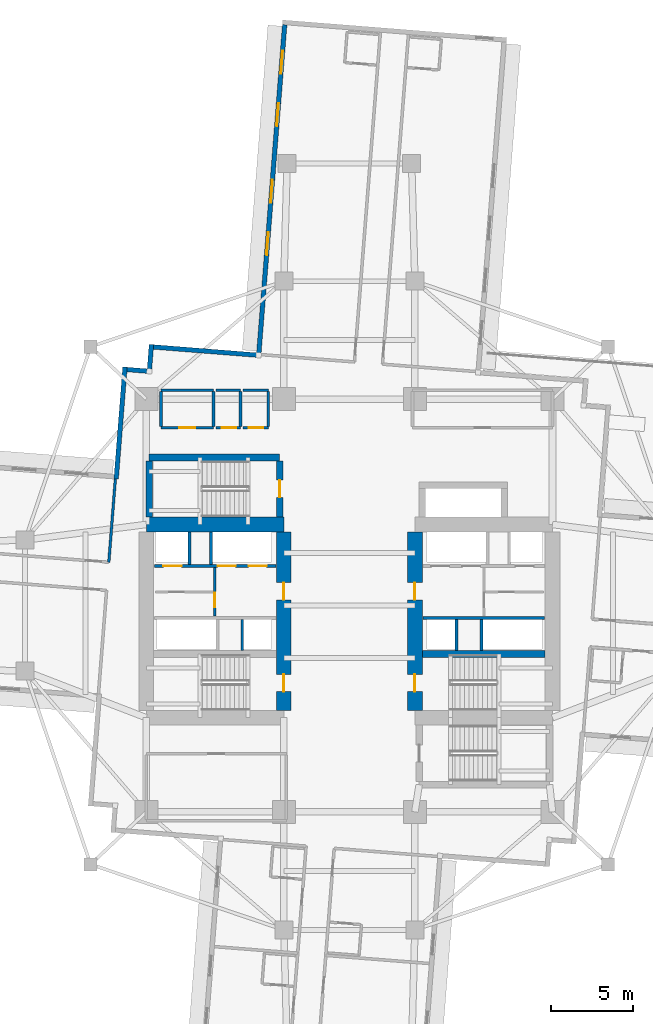
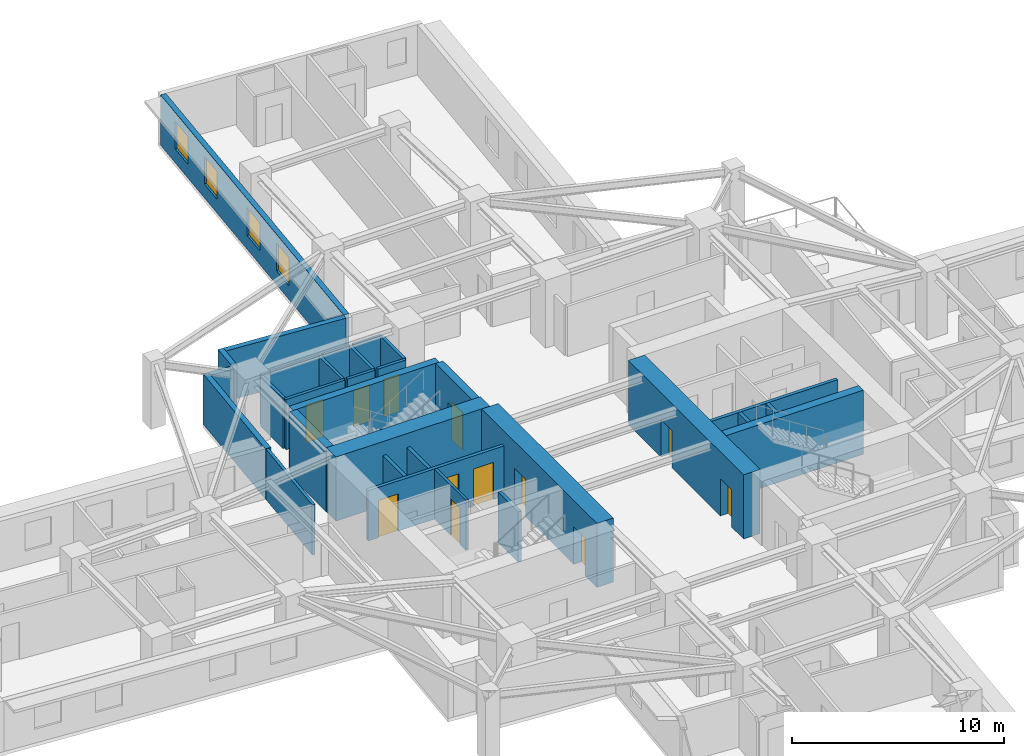
# One storey, part 6 of 14: 31 walls, 12 doors, 4 windows, 16 openings.
"""IFC4 building model written with IfcOpenShell, lengths in metres."""

from ifc_helpers import new_model, si_unit, direction, frame, frame_2d, origin, place, context, subcontext, project, spatial, rectangle, extrude, material, layer, layer_set, type_object, element, fill, save


model = new_model("IFC4")

# Units and contexts
model_context = context("Model", 3, precision=1e-05, world=origin(), true_north=direction((0.0, 1.0)))
body_context = subcontext(model_context, "Body", "Model", "MODEL_VIEW")
ifc_project = project(units=[si_unit("LENGTHUNIT", "METRE"), si_unit("AREAUNIT", "SQUARE_METRE"), si_unit("VOLUMEUNIT", "CUBIC_METRE"), si_unit("PLANEANGLEUNIT", "RADIAN"), si_unit("MASSUNIT", "GRAM", prefix="KILO")], contexts=[model_context])

# Site, building, storey
site_placement = place(None, origin())
site = spatial("IfcSite", under=ifc_project, at=site_placement, CompositionType="ELEMENT")
building_placement = place(site_placement, origin())
building = spatial("IfcBuilding", under=site, at=building_placement, Name="Qingluan Cross Belvedere", CompositionType="ELEMENT")
storey_placement = place(building_placement, frame((0.0, 0.0, 83.39990234375)))
storey = spatial("IfcBuildingStorey", under=building, at=storey_placement, Name="L21", CompositionType="ELEMENT", Elevation=83.39990234375)

# Walls
ifc_material_1 = material(Name="Concrete C50", Category="concrete")
ifc_layer_1 = layer(ifc_material_1, 0.449951171875, Name="CoreShearWall_450")
ifc_layer_set_1 = layer_set([ifc_layer_1], Name="Concrete C50")
wall_type_1 = type_object("IfcWallType", Name="CoreShearWall_450", PredefinedType="SHEAR", material=ifc_layer_set_1)
wall_1_placement = place(storey_placement, frame((4.455078125, -2.9599609375, 0.0), z_axis=(0.0, 0.0, 1.0), x_axis=(1.0, 0.0, 0.0)))
element("IfcWall", 1, at=wall_1_placement, inside=storey, type_object=wall_type_1, Name="Split core E shear wall L21-M", PredefinedType="SHEAR", context=body_context, shape_type="SweptSolid", body=[
    extrude(rectangle(XDim=7.489990234375, YDim=0.449951171875, at=frame_2d((3.7451171875, 0.0))), origin(), (0.0, 0.0, 1.0), 3.7001953125),
])
wall_2_placement = place(storey_placement, frame((-12.219970703125, 9.0400390625, 0.0), z_axis=(0.0, 0.0, 1.0), x_axis=(1.0, 0.0, 0.0)))
element("IfcWall", 2, at=wall_2_placement, inside=storey, type_object=wall_type_1, Name="Stair ST3 structural wall N L21", PredefinedType="SHEAR", context=body_context, shape_type="SweptSolid", body=[
    extrude(rectangle(XDim=7.9599609375, YDim=0.39990234375, at=frame_2d((3.97998046875, 0.0))), origin(), (0.0, 0.0, 1.0), 3.7001953125),
])
wall_3_placement = place(storey_placement, frame((-12.219970703125, 5.405029296875, 0.0), z_axis=(0.0, 0.0, 1.0), x_axis=(0.0, 1.0, 0.0)))
element("IfcWall", 3, at=wall_3_placement, inside=storey, type_object=wall_type_1, Name="Stair ST3 structural wall W L21", PredefinedType="SHEAR", context=body_context, shape_type="SweptSolid", body=[
    extrude(rectangle(XDim=3.429931640625, YDim=0.39990234375, at=frame_2d((1.71484375, 0.0))), origin(), (0.0, 0.0, 1.0), 3.7001953125),
])

# Wall, opening, door
wall_4_placement = place(storey_placement, frame((-4.260009765625, 5.405029296875, 0.0), z_axis=(0.0, 0.0, 1.0), x_axis=(0.0, 1.0, 0.0)))
wall_4 = element("IfcWall", 4, at=wall_4_placement, inside=storey, type_object=wall_type_1, Name="Stair ST3 structural wall E L21", PredefinedType="SHEAR", context=body_context, shape_type="SweptSolid", body=[
    extrude(rectangle(XDim=3.429931640625, YDim=0.39990234375, at=frame_2d((1.71484375, 0.0))), origin(), (0.0, 0.0, 1.0), 3.7001953125),
])
opening_1_placement = place(wall_4_placement, frame((1.195068359375, 0.0, 0.0)))
opening_1 = element("IfcOpeningElement", 5, at=opening_1_placement, cuts=wall_4, Name="Opening FD-B11", PredefinedType="OPENING", context=body_context, shape_type="SweptSolid", body=[
    extrude(rectangle(XDim=1.050048828125, YDim=2.14990234375, at=frame_2d((0.52490234375, 1.074951171875))), frame((0.0, 0.2099609375, 0.0), z_axis=(0.0, -1.0, 0.0), x_axis=(1.0, 0.0, 0.0)), (0.0, 0.0, 1.0), 0.419921875),
])
ifc_material_2 = material(Name="Steel Class B smoke-seal fire door", Category="steel")
door_type_1 = type_object("IfcDoorType", Name="StairLobbyFireDoor_FDB", OperationType="NOTDEFINED", PredefinedType="DOOR", material=ifc_material_2)
door_1_placement = place(opening_1_placement, origin())
door_1 = element("IfcDoor", 6, at=door_1_placement, inside=storey, type_object=door_type_1, Name="Smoke-proof stair ST3 fire door L21", OperationType="SINGLE_SWING_RIGHT", OverallHeight=2.14990234375, OverallWidth=1.050048828125, PredefinedType="DOOR", context=body_context, shape_type="SweptSolid", body=[
    extrude(rectangle(XDim=1.050048828125, YDim=2.14990234375, at=frame_2d((0.52490234375, 1.074951171875))), frame((0.0, 0.02490234375, 0.0), z_axis=(0.0, -1.0, 0.0), x_axis=(1.0, 0.0, 0.0)), (0.0, 0.0, 1.0), 0.050048828125),
])
fill(opening_1, door_1)

# Wall
ifc_material_3 = material(Name="Concrete C70", Category="concrete")
ifc_layer_2 = layer(ifc_material_3, 0.89990234375, Name="CoreShearWall_900")
ifc_layer_set_2 = layer_set([ifc_layer_2], Name="Concrete C70")
wall_type_2 = type_object("IfcWallType", Name="CoreShearWall_900", PredefinedType="SHEAR", material=ifc_layer_set_2)
wall_5_placement = place(storey_placement, frame((-12.39990234375, 4.949951171875, 0.0), z_axis=(0.0, 0.0, 1.0), x_axis=(1.0, 0.0, 0.0)))
element("IfcWall", 7, at=wall_5_placement, inside=storey, type_object=wall_type_2, Name="Split core W shear wall L21-N", PredefinedType="SHEAR", context=body_context, shape_type="SweptSolid", body=[
    extrude(rectangle(XDim=8.39990234375, YDim=0.89990234375, at=frame_2d((4.199951171875, 0.0))), origin(), (0.0, 0.0, 1.0), 3.7001953125),
])

# Wall, openings, doors
wall_6_placement = place(storey_placement, frame((-4.0, -6.39501953125, 0.0), z_axis=(0.0, 0.0, 1.0), x_axis=(0.0, 1.0, 0.0)))
wall_6 = element("IfcWall", 8, at=wall_6_placement, inside=storey, type_object=wall_type_2, Name="Split core W shear wall L21-E", PredefinedType="SHEAR", context=body_context, shape_type="SweptSolid", body=[
    extrude(rectangle(XDim=10.89013671875, YDim=0.89990234375, at=frame_2d((5.445068359375, 0.0))), origin(), (0.0, 0.0, 1.0), 3.7001953125),
])
opening_2_placement = place(wall_6_placement, frame((1.14501953125, 0.0, 0.0)))
opening_2 = element("IfcOpeningElement", 9, at=opening_2_placement, cuts=wall_6, Name="Opening FD-B11", PredefinedType="OPENING", context=body_context, shape_type="SweptSolid", body=[
    extrude(rectangle(XDim=1.050048828125, YDim=2.14990234375, at=frame_2d((0.52490234375, 1.074951171875))), frame((0.0, 0.4599609375, 0.0), z_axis=(0.0, -1.0, 0.0), x_axis=(1.0, 0.0, 0.0)), (0.0, 0.0, 1.0), 0.919921875),
])
opening_3_placement = place(wall_6_placement, frame((6.7451171875, 0.0, 0.0)))
opening_3 = element("IfcOpeningElement", 10, at=opening_3_placement, cuts=wall_6, Name="Opening FD-B11", PredefinedType="OPENING", context=body_context, shape_type="SweptSolid", body=[
    extrude(rectangle(XDim=1.050048828125, YDim=2.14990234375, at=frame_2d((0.52490234375, 1.074951171875))), frame((0.0, 0.4599609375, 0.0), z_axis=(0.0, -1.0, 0.0), x_axis=(1.0, 0.0, 0.0)), (0.0, 0.0, 1.0), 0.919921875),
])
door_2_placement = place(opening_2_placement, origin())
door_2 = element("IfcDoor", 11, at=door_2_placement, inside=storey, type_object=door_type_1, Name="Smoke-proof stair ST1 fire door L21", OperationType="SINGLE_SWING_RIGHT", OverallHeight=2.14990234375, OverallWidth=1.050048828125, PredefinedType="DOOR", context=body_context, shape_type="SweptSolid", body=[
    extrude(rectangle(XDim=1.050048828125, YDim=2.14990234375, at=frame_2d((0.52490234375, 1.074951171875))), frame((0.0, 0.02490234375, 0.0), z_axis=(0.0, -1.0, 0.0), x_axis=(1.0, 0.0, 0.0)), (0.0, 0.0, 1.0), 0.050048828125),
])
fill(opening_2, door_2)
door_3_placement = place(opening_3_placement, origin())
door_3 = element("IfcDoor", 12, at=door_3_placement, inside=storey, type_object=door_type_1, Name="Firefighting lobby West fire door L21", OperationType="SINGLE_SWING_RIGHT", OverallHeight=2.14990234375, OverallWidth=1.050048828125, PredefinedType="DOOR", context=body_context, shape_type="SweptSolid", body=[
    extrude(rectangle(XDim=1.050048828125, YDim=2.14990234375, at=frame_2d((0.52490234375, 1.074951171875))), frame((0.0, 0.02490234375, 0.0), z_axis=(0.0, -1.0, 0.0), x_axis=(1.0, 0.0, 0.0)), (0.0, 0.0, 1.0), 0.050048828125),
])
fill(opening_3, door_3)

wall_7_placement = place(storey_placement, frame((4.0, -6.39501953125, 0.0), z_axis=(0.0, 0.0, 1.0), x_axis=(0.0, 1.0, 0.0)))
wall_7 = element("IfcWall", 13, at=wall_7_placement, inside=storey, type_object=wall_type_2, Name="Split core E shear wall L21-W", PredefinedType="SHEAR", context=body_context, shape_type="SweptSolid", body=[
    extrude(rectangle(XDim=10.89013671875, YDim=0.89990234375, at=frame_2d((5.445068359375, 0.0))), origin(), (0.0, 0.0, 1.0), 3.7001953125),
])
opening_4_placement = place(wall_7_placement, frame((1.14501953125, 0.0, 0.0)))
opening_4 = element("IfcOpeningElement", 14, at=opening_4_placement, cuts=wall_7, Name="Opening FD-B11", PredefinedType="OPENING", context=body_context, shape_type="SweptSolid", body=[
    extrude(rectangle(XDim=1.050048828125, YDim=2.14990234375, at=frame_2d((0.52490234375, 1.074951171875))), frame((0.0, 0.4599609375, 0.0), z_axis=(0.0, -1.0, 0.0), x_axis=(1.0, 0.0, 0.0)), (0.0, 0.0, 1.0), 0.919921875),
])
opening_5_placement = place(wall_7_placement, frame((6.7451171875, 0.0, 0.0)))
opening_5 = element("IfcOpeningElement", 15, at=opening_5_placement, cuts=wall_7, Name="Opening FD-B11", PredefinedType="OPENING", context=body_context, shape_type="SweptSolid", body=[
    extrude(rectangle(XDim=1.050048828125, YDim=2.14990234375, at=frame_2d((0.52490234375, 1.074951171875))), frame((0.0, 0.4599609375, 0.0), z_axis=(0.0, -1.0, 0.0), x_axis=(1.0, 0.0, 0.0)), (0.0, 0.0, 1.0), 0.919921875),
])
door_4_placement = place(opening_4_placement, origin())
door_4 = element("IfcDoor", 16, at=door_4_placement, inside=storey, type_object=door_type_1, Name="Smoke-proof stair ST2 fire door L21", OperationType="SINGLE_SWING_LEFT", OverallHeight=2.14990234375, OverallWidth=1.050048828125, PredefinedType="DOOR", context=body_context, shape_type="SweptSolid", body=[
    extrude(rectangle(XDim=1.050048828125, YDim=2.14990234375, at=frame_2d((0.52490234375, 1.074951171875))), frame((0.0, 0.02490234375, 0.0), z_axis=(0.0, -1.0, 0.0), x_axis=(1.0, 0.0, 0.0)), (0.0, 0.0, 1.0), 0.050048828125),
])
fill(opening_4, door_4)
door_5_placement = place(opening_5_placement, origin())
door_5 = element("IfcDoor", 17, at=door_5_placement, inside=storey, type_object=door_type_1, Name="Firefighting lobby East fire door L21", OperationType="SINGLE_SWING_LEFT", OverallHeight=2.14990234375, OverallWidth=1.050048828125, PredefinedType="DOOR", context=body_context, shape_type="SweptSolid", body=[
    extrude(rectangle(XDim=1.050048828125, YDim=2.14990234375, at=frame_2d((0.52490234375, 1.074951171875))), frame((0.0, 0.02490234375, 0.0), z_axis=(0.0, -1.0, 0.0), x_axis=(1.0, 0.0, 0.0)), (0.0, 0.0, 1.0), 0.050048828125),
])
fill(opening_5, door_5)

# Wall, opening, door
ifc_material_4 = material(Name="Gypsum plasterboard on steel stud acoustic partition", Category="steel")
ifc_layer_3 = layer(ifc_material_4, 0.159912109375, Name="CorridorPartition_160")
ifc_layer_set_3 = layer_set([ifc_layer_3], Name="Gypsum plasterboard on steel stud acoustic partition")
wall_type_3 = type_object("IfcWallType", Name="CorridorPartition_160", PredefinedType="PARTITIONING", material=ifc_layer_set_3)
wall_8_placement = place(storey_placement, frame((-11.5, 10.85009765625, 0.0), z_axis=(0.0, 0.0, 1.0), x_axis=(1.0, 0.0, 0.0)))
wall_8 = element("IfcWall", 18, at=wall_8_placement, inside=storey, type_object=wall_type_3, Name="Partition L21:q_nw_occ:S", PredefinedType="PARTITIONING", context=body_context, shape_type="SweptSolid", body=[
    extrude(rectangle(XDim=3.199951171875, YDim=0.159912109375, at=frame_2d((1.60009765625, 0.0))), origin(), (0.0, 0.0, 1.0), 2.900146484375),
])
opening_6_placement = place(wall_8_placement, frame((1.1201171875, 0.0, 0.0)))
opening_6 = element("IfcOpeningElement", 19, at=opening_6_placement, cuts=wall_8, Name="Opening GD-10", PredefinedType="OPENING", context=body_context, shape_type="SweptSolid", body=[
    extrude(rectangle(XDim=0.9599609375, YDim=2.14990234375, at=frame_2d((0.47998046875, 1.074951171875))), frame((0.0, 0.08984375, 0.0), z_axis=(0.0, -1.0, 0.0), x_axis=(1.0, 0.0, 0.0)), (0.0, 0.0, 1.0), 0.179931640625),
])
ifc_material_5 = material(Name="Timber oak fire-rated acoustic guestroom door", Category="wood")
door_type_2 = type_object("IfcDoorType", Name="GuestEntryDoor_FD60", OperationType="NOTDEFINED", PredefinedType="DOOR", material=ifc_material_5)
door_6_placement = place(opening_6_placement, origin())
door_6 = element("IfcDoor", 20, at=door_6_placement, inside=storey, type_object=door_type_2, Name="Northwest corner reading salon L21 door", OperationType="SINGLE_SWING_RIGHT", OverallHeight=2.14990234375, OverallWidth=0.9599609375, PredefinedType="DOOR", context=body_context, shape_type="SweptSolid", body=[
    extrude(rectangle(XDim=0.9599609375, YDim=2.14990234375, at=frame_2d((0.47998046875, 1.074951171875))), frame((0.0, 0.02490234375, 0.0), z_axis=(0.0, -1.0, 0.0), x_axis=(1.0, 0.0, 0.0)), (0.0, 0.0, 1.0), 0.050048828125),
])
fill(opening_6, door_6)

# Walls
wall_9_placement = place(storey_placement, frame((-11.5, 13.14990234375, 0.0), z_axis=(0.0, 0.0, 1.0), x_axis=(1.0, 0.0, 0.0)))
element("IfcWall", 21, at=wall_9_placement, inside=storey, type_object=wall_type_3, Name="Partition L21:q_nw_occ:N", PredefinedType="PARTITIONING", context=body_context, shape_type="SweptSolid", body=[
    extrude(rectangle(XDim=3.199951171875, YDim=0.159912109375, at=frame_2d((1.60009765625, 0.0))), origin(), (0.0, 0.0, 1.0), 2.900146484375),
])
for number, where, z_axis, x_axis, name in (
    (22, (-11.5, 10.93505859375, 0.0), (0.0, 0.0, 1.0), (0.0, 1.0, 0.0), "Partition L21:q_nw_occ:W"),
    (23, (-8.300048828125, 10.93505859375, 0.0), (0.0, 0.0, 1.0), (0.0, 1.0, 0.0), "Partition L21:q_nw_occ:E"),
):
    element("IfcWall", number, at=place(storey_placement, frame(where, z_axis=z_axis, x_axis=x_axis)), inside=storey, type_object=wall_type_3, Name=name, PredefinedType="PARTITIONING", context=body_context, shape_type="SweptSolid", body=[
        extrude(rectangle(XDim=2.1298828125, YDim=0.159912109375, at=frame_2d((1.06494140625, 0.0))), origin(), (0.0, 0.0, 1.0), 2.900146484375),
    ])

# Wall, opening, door
wall_10_placement = place(storey_placement, frame((-8.139892578125, 10.85009765625, 0.0), z_axis=(0.0, 0.0, 1.0), x_axis=(1.0, 0.0, 0.0)))
wall_10 = element("IfcWall", 24, at=wall_10_placement, inside=storey, type_object=wall_type_3, Name="Partition L21:hk_linen:S", PredefinedType="PARTITIONING", context=body_context, shape_type="SweptSolid", body=[
    extrude(rectangle(XDim=1.489990234375, YDim=0.159912109375, at=frame_2d((0.7451171875, 0.0))), origin(), (0.0, 0.0, 1.0), 2.900146484375),
])
opening_7_placement = place(wall_10_placement, frame((0.35009765625, 0.0, 0.0)))
opening_7 = element("IfcOpeningElement", 25, at=opening_7_placement, cuts=wall_10, Name="Opening FD-B10", PredefinedType="OPENING", context=body_context, shape_type="SweptSolid", body=[
    extrude(rectangle(XDim=0.8798828125, YDim=2.10009765625, at=frame_2d((0.43994140625, 1.050048828125))), frame((0.0, 0.08984375, 0.0), z_axis=(0.0, -1.0, 0.0), x_axis=(1.0, 0.0, 0.0)), (0.0, 0.0, 1.0), 0.179931640625),
])
ifc_material_6 = material(Name="Steel Class B service fire door", Category="steel")
door_type_3 = type_object("IfcDoorType", Name="RiserServiceFireDoor_FDB", OperationType="NOTDEFINED", PredefinedType="DOOR", material=ifc_material_6)
door_7_placement = place(opening_7_placement, origin())
door_7 = element("IfcDoor", 26, at=door_7_placement, inside=storey, type_object=door_type_3, Name="Housekeeping and linen store L21 door", OperationType="SINGLE_SWING_LEFT", OverallHeight=2.10009765625, OverallWidth=0.8798828125, PredefinedType="DOOR", context=body_context, shape_type="SweptSolid", body=[
    extrude(rectangle(XDim=0.8798828125, YDim=2.10009765625, at=frame_2d((0.43994140625, 1.050048828125))), frame((0.0, 0.02490234375, 0.0), z_axis=(0.0, -1.0, 0.0), x_axis=(1.0, 0.0, 0.0)), (0.0, 0.0, 1.0), 0.050048828125),
])
fill(opening_7, door_7)

# Walls
wall_11_placement = place(storey_placement, frame((-8.139892578125, 13.14990234375, 0.0), z_axis=(0.0, 0.0, 1.0), x_axis=(1.0, 0.0, 0.0)))
element("IfcWall", 27, at=wall_11_placement, inside=storey, type_object=wall_type_3, Name="Partition L21:hk_linen:N", PredefinedType="PARTITIONING", context=body_context, shape_type="SweptSolid", body=[
    extrude(rectangle(XDim=1.489990234375, YDim=0.159912109375, at=frame_2d((0.7451171875, 0.0))), origin(), (0.0, 0.0, 1.0), 2.900146484375),
])
wall_12_placement = place(storey_placement, frame((-6.64990234375, 10.93505859375, 0.0), z_axis=(0.0, 0.0, 1.0), x_axis=(0.0, 1.0, 0.0)))
element("IfcWall", 28, at=wall_12_placement, inside=storey, type_object=wall_type_3, Name="Partition L21:hk_linen:E", PredefinedType="PARTITIONING", context=body_context, shape_type="SweptSolid", body=[
    extrude(rectangle(XDim=2.1298828125, YDim=0.159912109375, at=frame_2d((1.06494140625, 0.0))), origin(), (0.0, 0.0, 1.0), 2.900146484375),
])

# Wall, opening, door
wall_13_placement = place(storey_placement, frame((-6.489990234375, 10.85009765625, 0.0), z_axis=(0.0, 0.0, 1.0), x_axis=(1.0, 0.0, 0.0)))
wall_13 = element("IfcWall", 29, at=wall_13_placement, inside=storey, type_object=wall_type_3, Name="Partition L21:floor_acc_wc:S", PredefinedType="PARTITIONING", context=body_context, shape_type="SweptSolid", body=[
    extrude(rectangle(XDim=1.5400390625, YDim=0.159912109375, at=frame_2d((0.77001953125, 0.0))), origin(), (0.0, 0.0, 1.0), 2.900146484375),
])
opening_8_placement = place(wall_13_placement, frame((0.35009765625, 0.0, 0.0)))
opening_8 = element("IfcOpeningElement", 30, at=opening_8_placement, cuts=wall_13, Name="Opening BD-08", PredefinedType="OPENING", context=body_context, shape_type="SweptSolid", body=[
    extrude(rectangle(XDim=0.8798828125, YDim=2.14990234375, at=frame_2d((0.43994140625, 1.074951171875))), frame((0.0, 0.08984375, 0.0), z_axis=(0.0, -1.0, 0.0), x_axis=(1.0, 0.0, 0.0)), (0.0, 0.0, 1.0), 0.179931640625),
])
ifc_material_7 = material(Name="Moisture-sealed timber accessible WC door", Category="wood")
door_type_4 = type_object("IfcDoorType", Name="AccessibleWCDoor_880", OperationType="NOTDEFINED", PredefinedType="DOOR", material=ifc_material_7)
door_8_placement = place(opening_8_placement, origin())
door_8 = element("IfcDoor", 31, at=door_8_placement, inside=storey, type_object=door_type_4, Name="Accessible guest washroom L21 door", OperationType="SINGLE_SWING_RIGHT", OverallHeight=2.14990234375, OverallWidth=0.8798828125, PredefinedType="DOOR", context=body_context, shape_type="SweptSolid", body=[
    extrude(rectangle(XDim=0.8798828125, YDim=2.14990234375, at=frame_2d((0.43994140625, 1.074951171875))), frame((0.0, 0.02490234375, 0.0), z_axis=(0.0, -1.0, 0.0), x_axis=(1.0, 0.0, 0.0)), (0.0, 0.0, 1.0), 0.050048828125),
])
fill(opening_8, door_8)

# Walls
wall_14_placement = place(storey_placement, frame((-6.489990234375, 13.14990234375, 0.0), z_axis=(0.0, 0.0, 1.0), x_axis=(1.0, 0.0, 0.0)))
element("IfcWall", 32, at=wall_14_placement, inside=storey, type_object=wall_type_3, Name="Partition L21:floor_acc_wc:N", PredefinedType="PARTITIONING", context=body_context, shape_type="SweptSolid", body=[
    extrude(rectangle(XDim=1.5400390625, YDim=0.159912109375, at=frame_2d((0.77001953125, 0.0))), origin(), (0.0, 0.0, 1.0), 2.900146484375),
])
wall_15_placement = place(storey_placement, frame((-4.949951171875, 10.93505859375, 0.0), z_axis=(0.0, 0.0, 1.0), x_axis=(0.0, 1.0, 0.0)))
element("IfcWall", 33, at=wall_15_placement, inside=storey, type_object=wall_type_3, Name="Partition L21:floor_acc_wc:E", PredefinedType="PARTITIONING", context=body_context, shape_type="SweptSolid", body=[
    extrude(rectangle(XDim=2.1298828125, YDim=0.159912109375, at=frame_2d((1.06494140625, 0.0))), origin(), (0.0, 0.0, 1.0), 2.900146484375),
])
wall_16_placement = place(storey_placement, frame((-14.68798828125, 2.640625, 0.0), z_axis=(0.0, 0.0, 1.0), x_axis=(0.078441660381, 0.996918705771, 0.0)))
element("IfcWall", 34, at=wall_16_placement, inside=storey, type_object=wall_type_3, Name="Partition L21:W:s0", PredefinedType="PARTITIONING", context=body_context, shape_type="SweptSolid", body=[
    extrude(rectangle(XDim=5.091796875, YDim=0.159912109375, at=frame_2d((2.5458984375, 0.0))), origin(), (0.0, 0.0, 1.0), 2.900146484375),
])

# Wall, openings, windows
ifc_material_8 = material(Name="Precast concrete C45", Category="concrete")
ifc_layer_4 = layer(ifc_material_8, 0.280029296875, Name="PrecastFacadeWall_280")
ifc_layer_set_4 = layer_set([ifc_layer_4], Name="Precast concrete C45")
wall_type_4 = type_object("IfcWallType", Name="PrecastFacadeWall_280", PredefinedType="STANDARD", material=ifc_layer_set_4)
wall_17_placement = place(storey_placement, frame((-3.9501953125, 35.459228515625, 0.0), z_axis=(0.0, 0.0, 1.0), x_axis=(-0.078452802979, -0.996917828963, 0.0)))
wall_17 = element("IfcWall", 35, at=wall_17_placement, inside=storey, type_object=wall_type_4, Name="Facade wall L21-NB", PredefinedType="STANDARD", context=body_context, shape_type="SweptSolid", body=[
    extrude(rectangle(XDim=20.10009765625, YDim=0.280029296875, at=frame_2d((10.050048828125, 0.0))), origin(), (0.0, 0.0, 1.0), 2.91015625),
])
opening_9_placement = place(wall_17_placement, frame((1.60009765625, 0.0, 0.800048828125)))
opening_9 = element("IfcOpeningElement", 36, at=opening_9_placement, cuts=wall_17, Name="Opening W-01", PredefinedType="OPENING", context=body_context, shape_type="SweptSolid", body=[
    extrude(rectangle(XDim=1.39990234375, YDim=1.60009765625, at=frame_2d((0.699951171875, 0.800048828125))), frame((0.0, 0.14990234375, 0.0), z_axis=(0.0, -1.0, 0.0), x_axis=(1.0, 0.0, 0.0)), (0.0, 0.0, 1.0), 0.300048828125),
])
opening_10_placement = place(wall_17_placement, frame((4.800048828125, 0.0, 0.800048828125)))
opening_10 = element("IfcOpeningElement", 37, at=opening_10_placement, cuts=wall_17, Name="Opening W-01", PredefinedType="OPENING", context=body_context, shape_type="SweptSolid", body=[
    extrude(rectangle(XDim=1.39990234375, YDim=1.60009765625, at=frame_2d((0.699951171875, 0.800048828125))), frame((0.0, 0.14990234375, 0.0), z_axis=(0.0, -1.0, 0.0), x_axis=(1.0, 0.0, 0.0)), (0.0, 0.0, 1.0), 0.300048828125),
])
opening_11_placement = place(wall_17_placement, frame((9.5, 0.0, 0.800048828125)))
opening_11 = element("IfcOpeningElement", 38, at=opening_11_placement, cuts=wall_17, Name="Opening W-01", PredefinedType="OPENING", context=body_context, shape_type="SweptSolid", body=[
    extrude(rectangle(XDim=1.39990234375, YDim=1.60009765625, at=frame_2d((0.699951171875, 0.800048828125))), frame((0.0, 0.14990234375, 0.0), z_axis=(0.0, -1.0, 0.0), x_axis=(1.0, 0.0, 0.0)), (0.0, 0.0, 1.0), 0.300048828125),
])
opening_12_placement = place(wall_17_placement, frame((12.699951171875, 0.0, 0.800048828125)))
opening_12 = element("IfcOpeningElement", 39, at=opening_12_placement, cuts=wall_17, Name="Opening W-01", PredefinedType="OPENING", context=body_context, shape_type="SweptSolid", body=[
    extrude(rectangle(XDim=1.39990234375, YDim=1.60009765625, at=frame_2d((0.699951171875, 0.800048828125))), frame((0.0, 0.14990234375, 0.0), z_axis=(0.0, -1.0, 0.0), x_axis=(1.0, 0.0, 0.0)), (0.0, 0.0, 1.0), 0.300048828125),
])
ifc_material_9 = material(Name="Thermally broken triple Low-E glass in aluminium frame", Category="aluminium")
window_type = type_object("IfcWindowType", Name="TriRibbonWin_1400x1600", PartitioningType="SINGLE_PANEL", PredefinedType="WINDOW", material=ifc_material_9)
window_1_placement = place(opening_9_placement, origin())
window_1 = element("IfcWindow", 40, at=window_1_placement, inside=storey, type_object=window_type, Name="Ribbon window L21-NB-1", OverallHeight=1.60009765625, OverallWidth=1.39990234375, PartitioningType="SINGLE_PANEL", PredefinedType="WINDOW", context=body_context, shape_type="SweptSolid", body=[
    extrude(rectangle(XDim=1.39990234375, YDim=1.60009765625, at=frame_2d((0.699951171875, 0.800048828125))), frame((0.0, 0.030029296875, 0.0), z_axis=(0.0, -1.0, 0.0), x_axis=(1.0, 0.0, 0.0)), (0.0, 0.0, 1.0), 0.06005859375),
])
fill(opening_9, window_1)
window_2_placement = place(opening_10_placement, origin())
window_2 = element("IfcWindow", 41, at=window_2_placement, inside=storey, type_object=window_type, Name="Ribbon window L21-NB-2", OverallHeight=1.60009765625, OverallWidth=1.39990234375, PartitioningType="SINGLE_PANEL", PredefinedType="WINDOW", context=body_context, shape_type="SweptSolid", body=[
    extrude(rectangle(XDim=1.39990234375, YDim=1.60009765625, at=frame_2d((0.699951171875, 0.800048828125))), frame((0.0, 0.030029296875, 0.0), z_axis=(0.0, -1.0, 0.0), x_axis=(1.0, 0.0, 0.0)), (0.0, 0.0, 1.0), 0.06005859375),
])
fill(opening_10, window_2)
window_3_placement = place(opening_11_placement, origin())
window_3 = element("IfcWindow", 42, at=window_3_placement, inside=storey, type_object=window_type, Name="Ribbon window L21-NB-3", OverallHeight=1.60009765625, OverallWidth=1.39990234375, PartitioningType="SINGLE_PANEL", PredefinedType="WINDOW", context=body_context, shape_type="SweptSolid", body=[
    extrude(rectangle(XDim=1.39990234375, YDim=1.60009765625, at=frame_2d((0.699951171875, 0.800048828125))), frame((0.0, 0.030029296875, 0.0), z_axis=(0.0, -1.0, 0.0), x_axis=(1.0, 0.0, 0.0)), (0.0, 0.0, 1.0), 0.06005859375),
])
fill(opening_11, window_3)
window_4_placement = place(opening_12_placement, origin())
window_4 = element("IfcWindow", 43, at=window_4_placement, inside=storey, type_object=window_type, Name="Ribbon window L21-NB-4", OverallHeight=1.60009765625, OverallWidth=1.39990234375, PartitioningType="SINGLE_PANEL", PredefinedType="WINDOW", context=body_context, shape_type="SweptSolid", body=[
    extrude(rectangle(XDim=1.39990234375, YDim=1.60009765625, at=frame_2d((0.699951171875, 0.800048828125))), frame((0.0, 0.030029296875, 0.0), z_axis=(0.0, -1.0, 0.0), x_axis=(1.0, 0.0, 0.0)), (0.0, 0.0, 1.0), 0.06005859375),
])
fill(opening_12, window_4)

# Walls
wall_18_placement = place(storey_placement, frame((-14.238037109375, 7.720947265625, 0.0), z_axis=(0.0, 0.0, 1.0), x_axis=(0.078438149236, 0.996918982036, 0.0)))
element("IfcWall", 44, at=wall_18_placement, inside=storey, type_object=wall_type_4, Name="Corner wall L21-NW1", PredefinedType="STANDARD", context=body_context, shape_type="SweptSolid", body=[
    extrude(rectangle(XDim=6.860107421875, YDim=0.280029296875, at=frame_2d((3.43017578125, 0.0))), origin(), (0.0, 0.0, 1.0), 2.91015625),
])
wall_19_placement = place(storey_placement, frame((-13.5712890625, 14.4091796875, 0.0), z_axis=(0.0, 0.0, 1.0), x_axis=(0.996918772, -0.078440818672, 0.0)))
element("IfcWall", 45, at=wall_19_placement, inside=storey, type_object=wall_type_4, Name="Corner wall L21-NW2", PredefinedType="STANDARD", context=body_context, shape_type="SweptSolid", body=[
    extrude(rectangle(XDim=1.219970703125, YDim=0.280029296875, at=frame_2d((0.60986328125, 0.0))), origin(), (0.0, 0.0, 1.0), 2.91015625),
])
wall_20_placement = place(storey_placement, frame((-12.20458984375, 14.442138671875, 0.0), z_axis=(0.0, 0.0, 1.0), x_axis=(0.078451338629, 0.9969179442, 0.0)))
element("IfcWall", 46, at=wall_20_placement, inside=storey, type_object=wall_type_4, Name="Corner wall L21-NW3", PredefinedType="STANDARD", context=body_context, shape_type="SweptSolid", body=[
    extrude(rectangle(XDim=1.5, YDim=0.280029296875, at=frame_2d((0.75, 0.0))), origin(), (0.0, 0.0, 1.0), 2.91015625),
])
wall_21_placement = place(storey_placement, frame((-11.958251953125, 15.786865234375, 0.0), z_axis=(0.0, 0.0, 1.0), x_axis=(0.996916125428, -0.078474447191, 0.0)))
element("IfcWall", 47, at=wall_21_placement, inside=storey, type_object=wall_type_4, Name="Corner wall L21-NW4", PredefinedType="STANDARD", context=body_context, shape_type="SweptSolid", body=[
    extrude(rectangle(XDim=6.300048828125, YDim=0.280029296875, at=frame_2d((3.14990234375, 0.0))), origin(), (0.0, 0.0, 1.0), 2.91015625),
])

# Wall, openings, doors
ifc_material_10 = material(Name="Concrete C40", Category="concrete")
ifc_layer_5 = layer(ifc_material_10, 0.219970703125, Name="ShaftEnclosureWall_250")
ifc_layer_set_5 = layer_set([ifc_layer_5], Name="Concrete C40")
wall_type_5 = type_object("IfcWallType", Name="ShaftEnclosureWall_250", PredefinedType="SOLIDWALL", material=ifc_layer_set_5)
wall_22_placement = place(storey_placement, frame((-11.89990234375, 2.409912109375, 0.0), z_axis=(0.0, 0.0, 1.0), x_axis=(1.0, 0.0, 0.0)))
wall_22 = element("IfcWall", 48, at=wall_22_placement, inside=storey, type_object=wall_type_5, Name="Core-W north hoistway wall L21", PredefinedType="SOLIDWALL", context=body_context, shape_type="SweptSolid", body=[
    extrude(rectangle(XDim=7.419921875, YDim=0.179931640625, at=frame_2d((3.7099609375, 0.0))), origin(), (0.0, 0.0, 1.0), 2.900146484375),
])
opening_13_placement = place(wall_22_placement, frame((0.550048828125, 0.0, 0.0)))
opening_13 = element("IfcOpeningElement", 49, at=opening_13_placement, cuts=wall_22, Name="Opening LD-11", PredefinedType="OPENING", context=body_context, shape_type="SweptSolid", body=[
    extrude(rectangle(XDim=1.10009765625, YDim=2.14990234375, at=frame_2d((0.550048828125, 1.074951171875))), frame((0.0, 0.099853515625, 0.0), z_axis=(0.0, -1.0, 0.0), x_axis=(1.0, 0.0, 0.0)), (0.0, 0.0, 1.0), 0.199951171875),
])
opening_14_placement = place(wall_22_placement, frame((3.85009765625, 0.0, 0.0)))
opening_14 = element("IfcOpeningElement", 50, at=opening_14_placement, cuts=wall_22, Name="Opening LD-11", PredefinedType="OPENING", context=body_context, shape_type="SweptSolid", body=[
    extrude(rectangle(XDim=1.10009765625, YDim=2.14990234375, at=frame_2d((0.550048828125, 1.074951171875))), frame((0.0, 0.099853515625, 0.0), z_axis=(0.0, -1.0, 0.0), x_axis=(1.0, 0.0, 0.0)), (0.0, 0.0, 1.0), 0.199951171875),
])
opening_15_placement = place(wall_22_placement, frame((5.75, 0.0, 0.0)))
opening_15 = element("IfcOpeningElement", 51, at=opening_15_placement, cuts=wall_22, Name="Opening LD-11", PredefinedType="OPENING", context=body_context, shape_type="SweptSolid", body=[
    extrude(rectangle(XDim=1.10009765625, YDim=2.14990234375, at=frame_2d((0.550048828125, 1.074951171875))), frame((0.0, 0.099853515625, 0.0), z_axis=(0.0, -1.0, 0.0), x_axis=(1.0, 0.0, 0.0)), (0.0, 0.0, 1.0), 0.199951171875),
])
ifc_material_11 = material(Name="Brushed stainless steel centre-opening lift landing door", Category="steel")
door_type_5 = type_object("IfcDoorType", Name="LiftLandingSlidingDoor_1100", OperationType="DOUBLE_DOOR_SLIDING", PredefinedType="DOOR", material=ifc_material_11)
door_9_placement = place(opening_13_placement, origin())
door_9 = element("IfcDoor", 52, at=door_9_placement, inside=storey, type_object=door_type_5, Name="Lift landing sliding door FL1 L21", OperationType="DOUBLE_DOOR_SLIDING", OverallHeight=2.14990234375, OverallWidth=1.10009765625, PredefinedType="DOOR", context=body_context, shape_type="SweptSolid", body=[
    extrude(rectangle(XDim=1.10009765625, YDim=2.14990234375, at=frame_2d((0.550048828125, 1.074951171875))), frame((0.0, 0.02490234375, 0.0), z_axis=(0.0, -1.0, 0.0), x_axis=(1.0, 0.0, 0.0)), (0.0, 0.0, 1.0), 0.050048828125),
])
fill(opening_13, door_9)
door_10_placement = place(opening_14_placement, origin())
door_10 = element("IfcDoor", 53, at=door_10_placement, inside=storey, type_object=door_type_5, Name="Lift landing sliding door LP1 L21", OperationType="DOUBLE_DOOR_SLIDING", OverallHeight=2.14990234375, OverallWidth=1.10009765625, PredefinedType="DOOR", context=body_context, shape_type="SweptSolid", body=[
    extrude(rectangle(XDim=1.10009765625, YDim=2.14990234375, at=frame_2d((0.550048828125, 1.074951171875))), frame((0.0, 0.02490234375, 0.0), z_axis=(0.0, -1.0, 0.0), x_axis=(1.0, 0.0, 0.0)), (0.0, 0.0, 1.0), 0.050048828125),
])
fill(opening_14, door_10)
door_11_placement = place(opening_15_placement, origin())
door_11 = element("IfcDoor", 54, at=door_11_placement, inside=storey, type_object=door_type_5, Name="Lift landing sliding door LP2 L21", OperationType="DOUBLE_DOOR_SLIDING", OverallHeight=2.14990234375, OverallWidth=1.10009765625, PredefinedType="DOOR", context=body_context, shape_type="SweptSolid", body=[
    extrude(rectangle(XDim=1.10009765625, YDim=2.14990234375, at=frame_2d((0.550048828125, 1.074951171875))), frame((0.0, 0.02490234375, 0.0), z_axis=(0.0, -1.0, 0.0), x_axis=(1.0, 0.0, 0.0)), (0.0, 0.0, 1.0), 0.050048828125),
])
fill(opening_15, door_11)

# Walls
wall_23_placement = place(storey_placement, frame((4.47998046875, -0.75, 0.0), z_axis=(0.0, 0.0, 1.0), x_axis=(1.0, 0.0, 0.0)))
element("IfcWall", 55, at=wall_23_placement, inside=storey, type_object=wall_type_5, Name="Core-E mid hoistway wall L21", PredefinedType="SOLIDWALL", context=body_context, shape_type="SweptSolid", body=[
    extrude(rectangle(XDim=7.419921875, YDim=0.179931640625, at=frame_2d((3.7099609375, 0.0))), origin(), (0.0, 0.0, 1.0), 2.900146484375),
])
for number, where, z_axis, x_axis, name in (
    (56, (-9.760009765625, 2.5, 0.0), (0.0, 0.0, 1.0), (0.0, 1.0, 0.0), "Hoistway enclosure divider FL1E L21"),
    (57, (-8.43994140625, 2.5, 0.0), (0.0, 0.0, 1.0), (0.0, 1.0, 0.0), "Hoistway enclosure divider LP1W L21"),
):
    element("IfcWall", number, at=place(storey_placement, frame(where, z_axis=z_axis, x_axis=x_axis)), inside=storey, type_object=wall_type_5, Name=name, PredefinedType="SOLIDWALL", context=body_context, shape_type="SweptSolid", body=[
        extrude(rectangle(XDim=1.989990234375, YDim=0.179931640625, at=frame_2d((0.9951171875, 0.0))), origin(), (0.0, 0.0, 1.0), 2.900146484375),
    ])
for number, where, z_axis, x_axis, name in (
    (58, (-6.5400390625, -2.72998046875, 0.0), (0.0, 0.0, 1.0), (0.0, 1.0, 0.0), "Hoistway enclosure divider LP8W L21"),
    (59, (6.5400390625, -2.72998046875, 0.0), (0.0, 0.0, 1.0), (0.0, 1.0, 0.0), "Hoistway enclosure divider LP7E L21"),
    (60, (8.06005859375, -2.72998046875, 0.0), (0.0, 0.0, 1.0), (0.0, 1.0, 0.0), "Hoistway enclosure divider LP9W L21"),
):
    element("IfcWall", number, at=place(storey_placement, frame(where, z_axis=z_axis, x_axis=x_axis)), inside=storey, type_object=wall_type_5, Name=name, PredefinedType="SOLIDWALL", context=body_context, shape_type="SweptSolid", body=[
        extrude(rectangle(XDim=1.889892578125, YDim=0.179931640625, at=frame_2d((0.94482421875, 0.0))), origin(), (0.0, 0.0, 1.0), 2.900146484375),
    ])

# Wall, opening, door
wall_24_placement = place(storey_placement, frame((-8.219970703125, -0.64990234375, 0.0), z_axis=(0.0, 0.0, 1.0), x_axis=(0.0, 1.0, 0.0)))
wall_24 = element("IfcWall", 61, at=wall_24_placement, inside=storey, type_object=wall_type_5, Name="Core-W service corridor wall L21", PredefinedType="SOLIDWALL", context=body_context, shape_type="SweptSolid", body=[
    extrude(rectangle(XDim=2.9599609375, YDim=0.139892578125, at=frame_2d((1.47998046875, 0.0))), origin(), (0.0, 0.0, 1.0), 2.900146484375),
])
opening_16_placement = place(wall_24_placement, frame((0.550048828125, 0.0, 0.0)))
opening_16 = element("IfcOpeningElement", 62, at=opening_16_placement, cuts=wall_24, Name="Opening FD-B10", PredefinedType="OPENING", context=body_context, shape_type="SweptSolid", body=[
    extrude(rectangle(XDim=0.8798828125, YDim=2.10009765625, at=frame_2d((0.43994140625, 1.050048828125))), frame((0.0, 0.079833984375, 0.0), z_axis=(0.0, -1.0, 0.0), x_axis=(1.0, 0.0, 0.0)), (0.0, 0.0, 1.0), 0.159912109375),
])
door_12_placement = place(opening_16_placement, origin())
door_12 = element("IfcDoor", 63, at=door_12_placement, inside=storey, type_object=door_type_3, Name="Core-W service room door L21", OperationType="SINGLE_SWING_RIGHT", OverallHeight=2.10009765625, OverallWidth=0.8798828125, PredefinedType="DOOR", context=body_context, shape_type="SweptSolid", body=[
    extrude(rectangle(XDim=0.8798828125, YDim=2.10009765625, at=frame_2d((0.43994140625, 1.050048828125))), frame((0.0, 0.02490234375, 0.0), z_axis=(0.0, -1.0, 0.0), x_axis=(1.0, 0.0, 0.0)), (0.0, 0.0, 1.0), 0.050048828125),
])
fill(opening_16, door_12)

save(model, "model.ifc")
